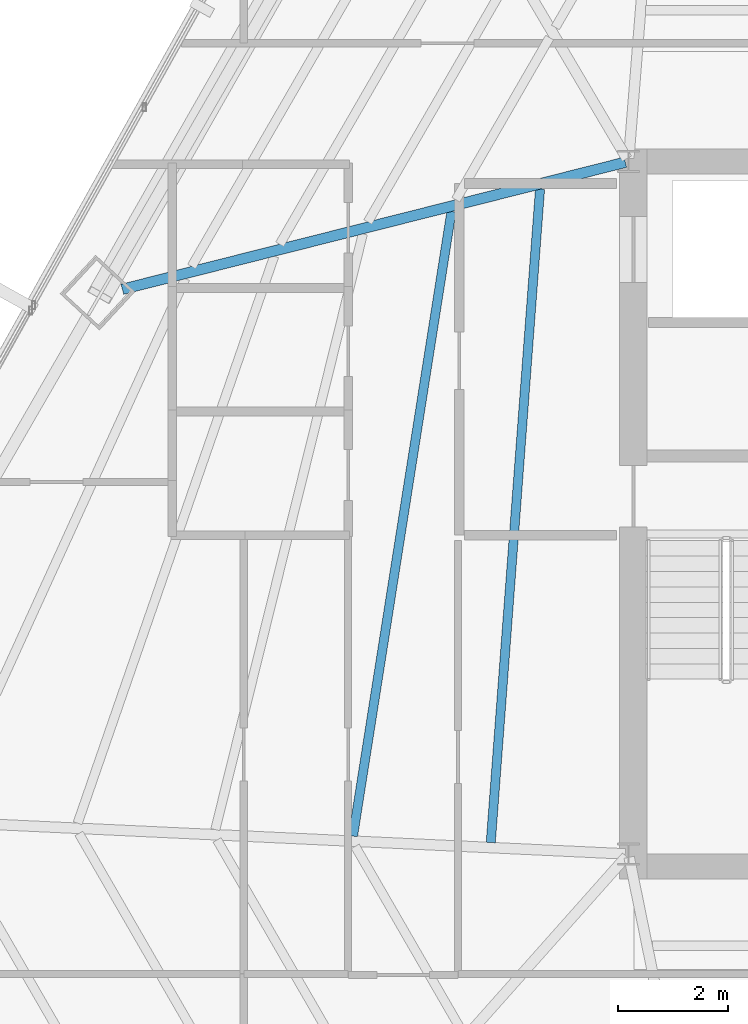
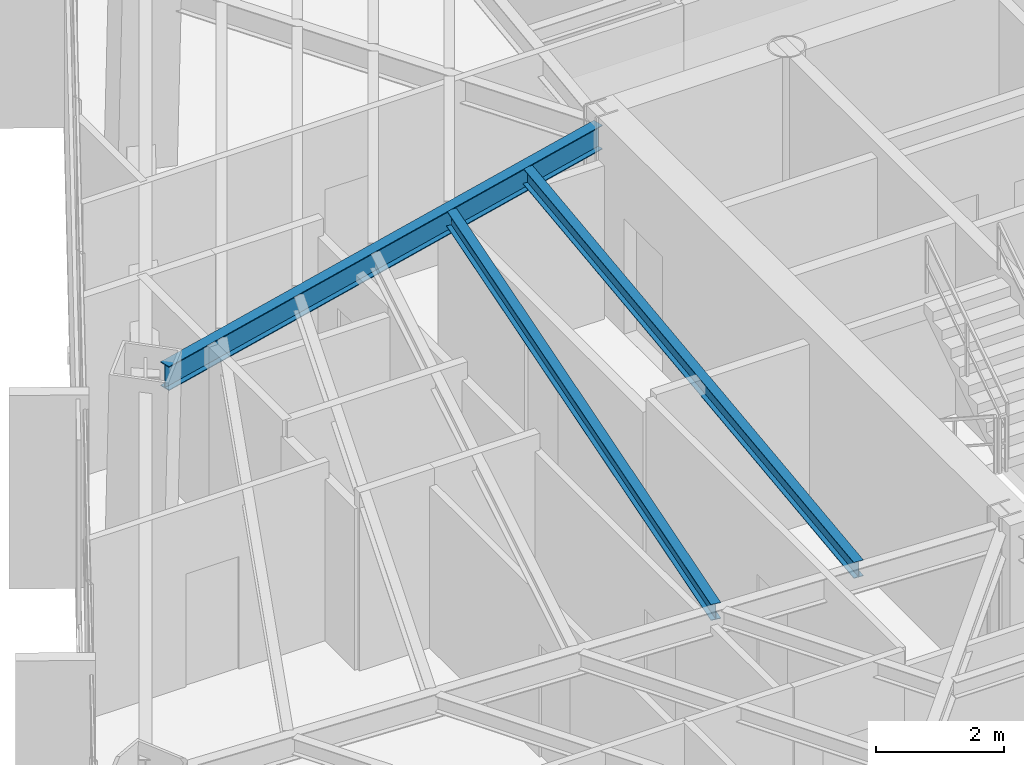
# One storey, part 13 of 38: 3 beams.
"""IFC4 building model written with IfcOpenShell, lengths in metres."""

from ifc_helpers import new_model, si_unit, direction, frame, origin, origin_2d, place, context, subcontext, project, spatial, i_section, extrude, source, transform, mapped, material, material_profile, profile_set, type_object, type_shapes, element, save


model = new_model("IFC4")

# Units and contexts
model_context = context("Model", 3, precision=1e-05, world=origin(), true_north=direction((0.0, 1.0)))
body_context = subcontext(model_context, "Body", "Model", "MODEL_VIEW")
ifc_project = project(units=[si_unit("LENGTHUNIT", "METRE"), si_unit("AREAUNIT", "SQUARE_METRE"), si_unit("VOLUMEUNIT", "CUBIC_METRE"), si_unit("PLANEANGLEUNIT", "RADIAN"), si_unit("MASSUNIT", "GRAM", prefix="KILO")], contexts=[model_context])

# Site, building, storey
site_placement = place(None, origin())
site = spatial("IfcSite", under=ifc_project, at=site_placement, CompositionType="ELEMENT")
building_placement = place(site_placement, origin())
building = spatial("IfcBuilding", under=site, at=building_placement, Name="Caelisora Broadcast Tower", CompositionType="ELEMENT")
storey_placement = place(building_placement, frame((0.0, 0.0, 154.85009765625)))
storey = spatial("IfcBuildingStorey", under=building, at=storey_placement, Name="L40", CompositionType="ELEMENT", Elevation=154.85009765625)

# Beams
ifc_material = material(Name="Steel Grade 350 (AS/NZS 3679.1)", Category="steel")
ifc_material_profile_1 = material_profile(ifc_material, i_section(OverallWidth=0.19091796875, OverallDepth=0.46044921875, WebThickness=0.010009765625, FlangeThickness=0.01611328125, at=origin_2d()), Name="Steel Grade 350 (AS/NZS 3679.1)")
ifc_profile_set_1 = profile_set([ifc_material_profile_1], Name="Steel Grade 350 (AS/NZS 3679.1)")
beam_type_1 = type_object("IfcBeamType", Name="PG06", PredefinedType="BEAM", material=ifc_profile_set_1)
shared_shape_1 = source(origin(), body_context, "Body", "SweptSolid", [
    extrude(i_section(OverallWidth=0.19091796875, OverallDepth=0.46044921875, WebThickness=0.010009765625, FlangeThickness=0.01611328125, at=origin_2d()), origin(), (0.0, 0.0, 1.0), 9.43701171875),
])
type_shapes(beam_type_1, [shared_shape_1])
beam_1_placement = place(storey_placement, frame((30.44189453125, 29.9853515625, 3.169677734375), z_axis=(-0.969530721979, -0.244969751479, 0.0), x_axis=(0.244969751479, -0.969530721979, 0.0)))
element("IfcBeam", 1, at=beam_1_placement, inside=storey, type_object=beam_type_1, Name="L40 beam PG06", PredefinedType="BEAM", context=body_context, shape_type="MappedRepresentation", body=[
    mapped(shared_shape_1, transform((0.0, 0.0, 0.0), scale=1.0)),
])
ifc_material_profile_2 = material_profile(ifc_material, i_section(OverallWidth=0.166015625, OverallDepth=0.30712890625, WebThickness=0.006591796875, FlangeThickness=0.01171875, at=origin_2d()), Name="Steel Grade 350 (AS/NZS 3679.1)")
ifc_profile_set_2 = profile_set([ifc_material_profile_2], Name="Steel Grade 350 (AS/NZS 3679.1)")
beam_type_2 = type_object("IfcBeamType", Name="SB03", PredefinedType="JOIST", material=ifc_profile_set_2)
shared_shape_2 = source(origin(), body_context, "Body", "SweptSolid", [
    extrude(i_section(OverallWidth=0.166015625, OverallDepth=0.30712890625, WebThickness=0.006591796875, FlangeThickness=0.01171875, at=origin_2d()), origin(), (0.0, 0.0, 1.0), 11.921875),
])
beam_2_placement = place(storey_placement, frame((28.89013671875, 29.497802734375, 3.246337890625), z_axis=(-0.07519619828, -0.997168757916, 0.0), x_axis=(0.997168757916, -0.07519619828, 0.0)))
element("IfcBeam", 2, at=beam_2_placement, inside=storey, type_object=beam_type_2, Name="L40 beam SB03", PredefinedType="JOIST", context=body_context, shape_type="MappedRepresentation", body=[
    mapped(shared_shape_2, transform((0.0, 0.0, 0.0), scale=1.0)),
])
shared_shape_3 = source(origin(), body_context, "Body", "SweptSolid", [
    extrude(i_section(OverallWidth=0.166015625, OverallDepth=0.30712890625, WebThickness=0.006591796875, FlangeThickness=0.01171875, at=origin_2d()), origin(), (0.0, 0.0, 1.0), 11.504150390625),
])
type_shapes(beam_type_2, [shared_shape_2, shared_shape_3])
beam_3_placement = place(storey_placement, frame((27.279296875, 29.090576171875, 3.246337890625), z_axis=(-0.155727176702, -0.987800104493, 0.0), x_axis=(0.987800104493, -0.155727176702, 0.0)))
element("IfcBeam", 3, at=beam_3_placement, inside=storey, type_object=beam_type_2, Name="L40 beam SB03", PredefinedType="JOIST", context=body_context, shape_type="MappedRepresentation", body=[
    mapped(shared_shape_3, transform((0.0, 0.0, 0.0), scale=1.0)),
])

save(model, "model.ifc")
